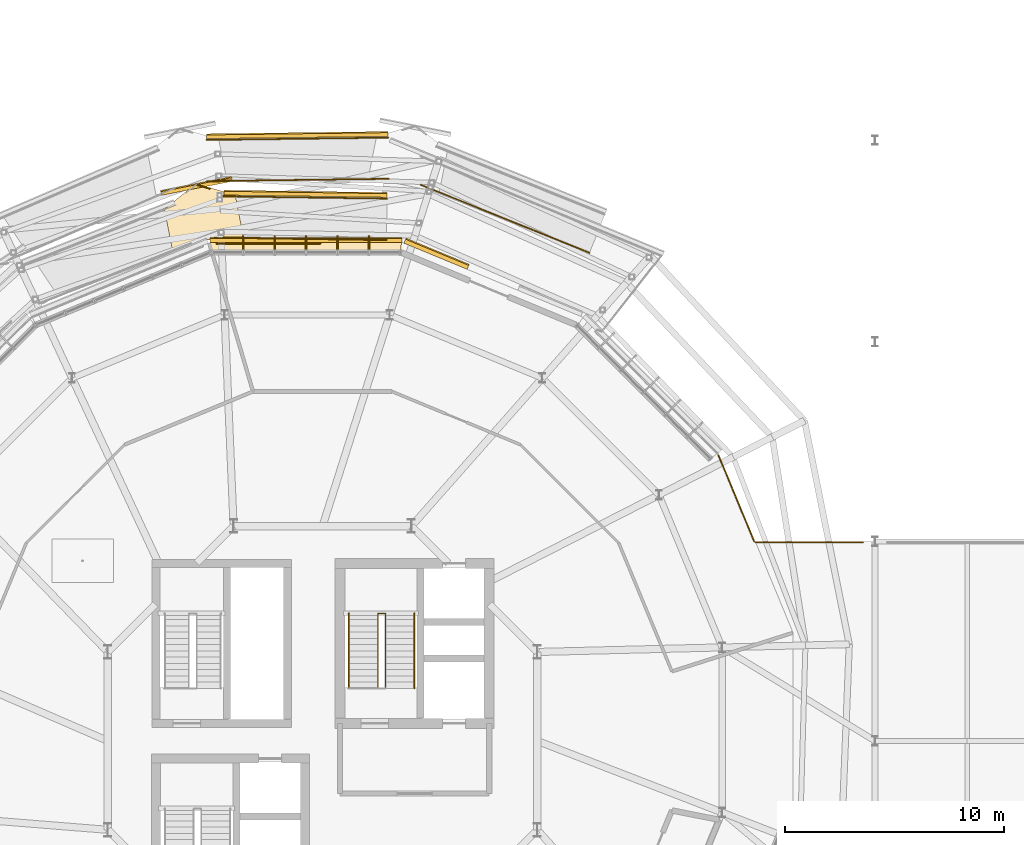
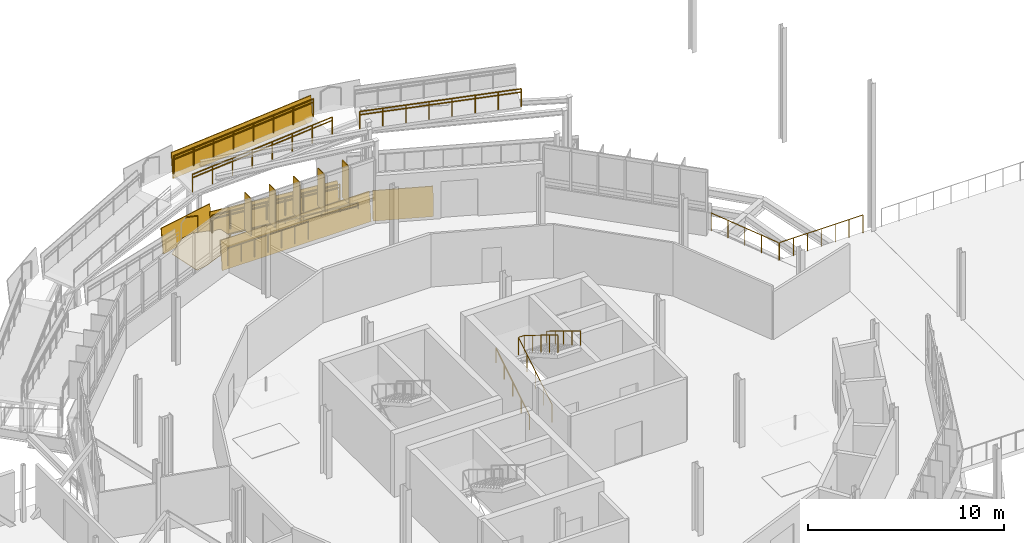
# One storey, part 104 of 107: 22 railings, 7 coverings, 5 shading devices.
"""IFC4 building model written with IfcOpenShell, lengths in metres."""

from ifc_helpers import new_model, si_unit, derived_unit, direction, frame, origin, origin_2d, place, context, subcontext, project, spatial, polyline, rectangle, circle, outline, extrude, material, layer, layer_set, type_object, element, save


model = new_model("IFC4")

# Units and contexts
model_context = context("Model", 3, precision=1e-05, world=origin(), true_north=direction((0.0, 1.0)))
body_context = subcontext(model_context, "Body", "Model", "MODEL_VIEW")
ifc_project = project(units=[si_unit("LENGTHUNIT", "METRE"), si_unit("AREAUNIT", "SQUARE_METRE"), si_unit("VOLUMEUNIT", "CUBIC_METRE"), si_unit("PLANEANGLEUNIT", "RADIAN"), si_unit("MASSUNIT", "GRAM", prefix="KILO"), derived_unit("THERMALTRANSMITTANCEUNIT", [(si_unit("MASSUNIT", "GRAM", prefix="KILO"), 1), (si_unit("TIMEUNIT", "SECOND"), -3), (si_unit("THERMODYNAMICTEMPERATUREUNIT", "KELVIN"), -1)])], contexts=[model_context])

# Site, building, storey
site_placement = place(None, origin())
site = spatial("IfcSite", under=ifc_project, at=site_placement, CompositionType="ELEMENT")
building_placement = place(site_placement, origin())
building = spatial("IfcBuilding", under=site, at=building_placement, Name="Makaiwela Harbour Ferry Terminal", CompositionType="ELEMENT")
storey_placement = place(building_placement, frame((0.0, 0.0, 9.60009765625)))
storey = spatial("IfcBuildingStorey", under=building, at=storey_placement, Name="L02", CompositionType="ELEMENT", Elevation=9.60009765625)

# Coverings
ifc_material_1 = material(Name="White glazed marine ceramic rainscreen tile", Category="masonry")
ifc_layer_1 = layer(ifc_material_1, 0.054931640625)
ifc_layer_set_1 = layer_set([ifc_layer_1], Name="White glazed marine ceramic rainscreen tile")
covering_type_1 = type_object("IfcCoveringType", Name="ENV-CLD-CERAMIC", PredefinedType="CLADDING", material=ifc_layer_set_1)
covering_1_placement = place(storey_placement, frame((44.3955078125, 89.1103515625, -0.239990234375), z_axis=(-0.380392765721, -0.918358478274, 0.109174397957), x_axis=(-0.923881038743, 0.38267979596, -3.92437e-06)))
element("IfcCovering", 1, at=covering_1_placement, inside=storey, type_object=covering_type_1, Name="Ceramic Spandrel Facet CLD-0048", PredefinedType="CLADDING", context=body_context, shape_type="SweptSolid", body=[
    extrude(outline(polyline([(0.0, 0.0), (3.1186969877675494, 2.7755575615628914e-17), (3.1187354069868074, -1.770605603477598), (-5.5008465302002345e-05, -1.7705809780750126), (0.0, 0.0)])), origin(), (0.0, 0.0, -1.0), 0.054931640625),
])
covering_2_placement = place(storey_placement, frame((41.4287109375, 90.32275390625, -0.239990234375), z_axis=(0.0, -0.994019183037, 0.10920560313), x_axis=(-1.0, 0.0, 0.0)))
element("IfcCovering", 2, at=covering_2_placement, inside=storey, type_object=covering_type_1, Name="Ceramic Spandrel Facet CLD-0049", PredefinedType="CLADDING", context=body_context, shape_type="SweptSolid", body=[
    extrude(outline(polyline([(0.0, 0.0), (8.757568359375, 0.0), (8.757568359375, -1.7705993965309483), (0.0, -1.7705993965309483), (0.0, 0.0)])), origin(), (0.0, 0.0, -1.0), 0.054931640625),
])
covering_3_placement = place(storey_placement, frame((0.0, 0.0, 1.47998046875)))
element("IfcCovering", 3, at=covering_3_placement, inside=storey, type_object=covering_type_1, Name="Ceramic Ring Sill Cap CLD-0050", PredefinedType="CLADDING", context=body_context, shape_type="SweptSolid", body=[
    extrude(outline(polyline([(41.4287109375, 90.51611328125), (32.671142578125, 90.51611328125), (32.7490234375, 89.88330078125), (41.35107421875, 89.88330078125), (41.4287109375, 90.51611328125)])), origin(), (0.0, 0.0, 1.0), 0.054931640625),
])
covering_4_placement = place(storey_placement, frame((40.74365234375, 92.394287109375, -0.340087890625), z_axis=(-0.00510577044, -0.993926306536, 0.109929196688), x_axis=(-0.996671628908, 0.014002171724, 0.080309422343)))
element("IfcCovering", 4, at=covering_4_placement, inside=storey, type_object=covering_type_1, Name="Coiled Ramp Ceramic Fascia CLD-R0037", PredefinedType="CLADDING", context=body_context, shape_type="SweptSolid", body=[
    extrude(outline(polyline([(0.0, 0.0), (7.472134975054646, -1.1102230246251565e-16), (7.5943526522373155, -1.5241654974854504), (0.12223386547627683, -1.5243807163264587), (0.0, 0.0)])), origin(), (0.0, 0.0, -1.0), 0.054931640625),
])
covering_5_placement = place(storey_placement, frame((33.693603515625, 93.12890625, 0.260009765625), z_axis=(0.193910341386, -0.974846187239, 0.10988034733), x_axis=(-0.98078501504, -0.195091656081, 0.0)))
element("IfcCovering", 5, at=covering_5_placement, inside=storey, type_object=covering_type_1, Name="Coiled Ramp Ceramic Fascia CLD-R0038", PredefinedType="CLADDING", context=body_context, shape_type="SweptSolid", body=[
    extrude(outline(polyline([(0.0, 0.0), (3.299981357781899, 0.0), (3.2999174720790077, -1.5290339633720902), (-6.388570289143913e-05, -1.5290339633720902), (0.0, 0.0)])), origin(), (0.0, 0.0, -1.0), 0.054931640625),
])
covering_6_placement = place(storey_placement, frame((32.514892578125, 95.069580078125, 2.659912109375), z_axis=(0.004858769322, -0.993927568736, 0.109928979198), x_axis=(0.997298284655, 0.012874040968, 0.072321438684)))
element("IfcCovering", 6, at=covering_6_placement, inside=storey, type_object=covering_type_1, Name="Coiled Ramp Ceramic Fascia CLD-R0047", PredefinedType="CLADDING", context=body_context, shape_type="SweptSolid", body=[
    extrude(outline(polyline([(0.0, 0.0), (8.297809468480363, -1.1102230246251565e-16), (8.407692918536666, 1.5250774349721787), (0.10990424973395369, 1.525346132579739), (0.0, 0.0)])), origin(), (0.0, 0.0, -1.0), 0.054931640625),
])

# Shading devices
ifc_material_2 = material(Name="Marine anodised aluminium 6063-T6", Category="aluminium")
ifc_layer_2 = layer(ifc_material_2, 0.054931640625)
ifc_layer_set_2 = layer_set([ifc_layer_2], Name="Marine anodised aluminium 6063-T6")
shading_device_type = type_object("IfcShadingDeviceType", Name="ENV-FIN-650", PredefinedType="USERDEFINED", material=ifc_layer_set_2)
for number, where, z_axis, x_axis, name in (
    (7, (39.917236328125, 90.3212890625, 1.609375), (0.0, 0.0, 1.0), (0.0, 1.0, 0.0), "Vertical Solar Fin SFN-0046"),
    (8, (38.483642578125, 90.3212890625, 1.609375), (0.0, 0.0, 1.0), (0.0, 1.0, 0.0), "Vertical Solar Fin SFN-0047"),
    (9, (37.050048828125, 90.3212890625, 1.609375), (0.0, 0.0, 1.0), (0.0, 1.0, 0.0), "Vertical Solar Fin SFN-0048"),
    (10, (35.6162109375, 90.3212890625, 1.609375), (0.0, 0.0, 1.0), (0.0, 1.0, 0.0), "Vertical Solar Fin SFN-0049"),
    (11, (34.1826171875, 90.3212890625, 1.609375), (0.0, 0.0, 1.0), (0.0, 1.0, 0.0), "Vertical Solar Fin SFN-0050"),
):
    element("IfcShadingDevice", number, at=place(storey_placement, frame(where, z_axis=z_axis, x_axis=x_axis)), inside=storey, type_object=shading_device_type, Name=name, ObjectType="SOLAR FIN", PredefinedType="USERDEFINED", context=body_context, shape_type="SweptSolid", body=[
        extrude(rectangle(XDim=0.64990234375, YDim=0.054931640625, at=origin_2d()), origin(), (0.0, 0.0, 1.0), 2.320068359375),
    ])

# Covering
ifc_material_3 = material(Name="Honed coral-aggregate epoxy terrazzo flooring", Category="concrete")
ifc_layer_3 = layer(ifc_material_3, 0.02490234375)
ifc_layer_set_3 = layer_set([ifc_layer_3], Name="Honed coral-aggregate epoxy terrazzo flooring")
covering_type_2 = type_object("IfcCoveringType", Name="INT-COV-FLR", PredefinedType="FLOORING", material=ifc_layer_set_3)
covering_7_placement = place(storey_placement, frame((0.0, 0.0, 0.599853515625)))
element("IfcCovering", 12, at=covering_7_placement, inside=storey, type_object=covering_type_2, Name="Ramp Landing Terrazzo RMP-COIL-L02-LI1", PredefinedType="FLOORING", context=body_context, shape_type="SweptSolid", body=[
    extrude(outline(polyline([(31.633056640625, 90.081298828125), (32.542236328125, 90.457763671875), (32.54248046875, 90.4580078125), (32.542724609375, 90.4580078125), (32.54296875, 90.4580078125), (32.543212890625, 90.4580078125), (33.52734375, 90.4580078125), (34.198486328125, 90.591552734375), (33.81982421875, 92.494384765625), (32.031982421875, 93.025634765625), (30.583251953125, 91.8505859375), (30.9619140625, 89.94775390625), (31.633056640625, 90.081298828125)])), origin(), (0.0, 0.0, 1.0), 0.025146484375),
])

# Railings
ifc_material_4 = material(Name="Marine grade 316L brushed stainless steel", Category="steel")
railing_type_1 = type_object("IfcRailingType", Name="INT-RL-GRD110", PredefinedType="GUARDRAIL", material=ifc_material_4)
railing_1_placement = place(storey_placement, frame((40.325927734375, 70.0, 0.0)))
element("IfcRailing", 13, at=railing_1_placement, inside=storey, type_object=railing_type_1, Name="Stair well guardrail RL-0009", PredefinedType="GUARDRAIL", context=body_context, shape_type="SweptSolid", body=[
    extrude(circle(Radius=0.02392578125, at=origin_2d()), frame((0.0, 0.0, 1.09619140625), z_axis=(0.0, 0.852182171552, 0.523245206847), x_axis=(-1.0, 0.0, 0.0)), (0.0, 0.0, 1.0), 4.01318359375),
    extrude(circle(Radius=0.02392578125, at=origin_2d()), frame((0.0, 3.419921875, 3.19580078125), z_axis=(1.0, 0.0, 0.0), x_axis=(0.0, 1.0, 0.0)), (0.0, 0.0, 1.0), 0.340087890625),
    extrude(circle(Radius=0.02392578125, at=origin_2d()), frame((0.340087890625, 3.419921875, 3.19580078125), z_axis=(0.0, -0.852155044755, 0.523289384279), x_axis=(1.0, 0.0, 0.0)), (0.0, 0.0, 1.0), 4.01318359375),
    extrude(circle(Radius=0.02099609375, at=origin_2d()), origin(), (0.0, 0.0, 1.0), 1.072021484375),
    extrude(circle(Radius=0.02099609375, at=origin_2d()), frame((0.0, 0.85498046875, 0.52490234375)), (0.0, 0.0, 1.0), 1.072021484375),
    extrude(circle(Radius=0.02099609375, at=origin_2d()), frame((0.0, 1.7099609375, 1.0498046875)), (0.0, 0.0, 1.0), 1.072021484375),
    extrude(circle(Radius=0.02099609375, at=origin_2d()), frame((0.0, 2.56494140625, 1.574951171875)), (0.0, 0.0, 1.0), 1.072021484375),
    extrude(circle(Radius=0.02099609375, at=origin_2d()), frame((0.0, 3.419921875, 2.099853515625)), (0.0, 0.0, 1.0), 1.072021484375),
    extrude(circle(Radius=0.02099609375, at=origin_2d()), frame((0.340087890625, 3.419921875, 2.099853515625)), (0.0, 0.0, 1.0), 1.072021484375),
    extrude(circle(Radius=0.02099609375, at=origin_2d()), frame((0.340087890625, 2.56494140625, 2.625)), (0.0, 0.0, 1.0), 1.072021484375),
    extrude(circle(Radius=0.02099609375, at=origin_2d()), frame((0.340087890625, 1.7099609375, 3.14990234375)), (0.0, 0.0, 1.0), 1.072021484375),
    extrude(circle(Radius=0.02099609375, at=origin_2d()), frame((0.340087890625, 0.85498046875, 3.6748046875)), (0.0, 0.0, 1.0), 1.072021484375),
    extrude(circle(Radius=0.02099609375, at=origin_2d()), frame((0.340087890625, 0.0, 4.199951171875)), (0.0, 0.0, 1.0), 1.072021484375),
])
railing_2_placement = place(storey_placement, frame((40.71630859375, 90.45751953125, 0.0)))
element("IfcRailing", 14, at=railing_2_placement, inside=storey, type_object=railing_type_1, Name="Ramp guardrail RL-0165", PredefinedType="GUARDRAIL", context=body_context, shape_type="SweptSolid", body=[
    extrude(circle(Radius=0.02392578125, at=origin_2d()), frame((0.0, 0.0, 1.09619140625), z_axis=(-0.996674335618, 0.013984284541, 0.080278941864), x_axis=(-0.014029565846, -0.999901580798, 0.0)), (0.0, 0.0, 1.0), 7.47216796875),
    extrude(circle(Radius=0.02099609375, at=origin_2d()), origin(), (0.0, 0.0, 1.0), 1.072021484375),
    extrude(circle(Radius=0.02099609375, at=origin_2d()), frame((-1.06396484375, 0.014892578125, 0.085693359375)), (0.0, 0.0, 1.0), 1.072021484375),
    extrude(circle(Radius=0.02099609375, at=origin_2d()), frame((-2.127685546875, 0.02978515625, 0.17138671875)), (0.0, 0.0, 1.0), 1.072021484375),
    extrude(circle(Radius=0.02099609375, at=origin_2d()), frame((-3.191650390625, 0.044677734375, 0.257080078125)), (0.0, 0.0, 1.0), 1.072021484375),
    extrude(circle(Radius=0.02099609375, at=origin_2d()), frame((-4.255615234375, 0.059814453125, 0.3427734375)), (0.0, 0.0, 1.0), 1.072021484375),
    extrude(circle(Radius=0.02099609375, at=origin_2d()), frame((-5.319580078125, 0.07470703125, 0.428466796875)), (0.0, 0.0, 1.0), 1.072021484375),
    extrude(circle(Radius=0.02099609375, at=origin_2d()), frame((-6.38330078125, 0.089599609375, 0.51416015625)), (0.0, 0.0, 1.0), 1.072021484375),
    extrude(circle(Radius=0.02099609375, at=origin_2d()), frame((-7.447265625, 0.1044921875, 0.599853515625)), (0.0, 0.0, 1.0), 1.072021484375),
])
railing_3_placement = place(storey_placement, frame((40.742919921875, 92.337158203125, 0.0)))
element("IfcRailing", 15, at=railing_3_placement, inside=storey, type_object=railing_type_1, Name="Ramp guardrail RL-0167", PredefinedType="GUARDRAIL", context=body_context, shape_type="SweptSolid", body=[
    extrude(circle(Radius=0.02392578125, at=origin_2d()), frame((0.0, 0.0, 1.09619140625), z_axis=(-0.996674096669, 0.014016495246, 0.080276290953), x_axis=(-0.014061877838, -0.999901126908, 0.0)), (0.0, 0.0, 1.0), 7.472412109375),
    extrude(circle(Radius=0.02099609375, at=origin_2d()), origin(), (0.0, 0.0, 1.0), 1.072021484375),
    extrude(circle(Radius=0.02099609375, at=origin_2d()), frame((-1.06396484375, 0.014892578125, 0.085693359375)), (0.0, 0.0, 1.0), 1.072021484375),
    extrude(circle(Radius=0.02099609375, at=origin_2d()), frame((-2.1279296875, 0.030029296875, 0.17138671875)), (0.0, 0.0, 1.0), 1.072021484375),
    extrude(circle(Radius=0.02099609375, at=origin_2d()), frame((-3.19189453125, 0.044921875, 0.257080078125)), (0.0, 0.0, 1.0), 1.072021484375),
    extrude(circle(Radius=0.02099609375, at=origin_2d()), frame((-4.255615234375, 0.059814453125, 0.3427734375)), (0.0, 0.0, 1.0), 1.072021484375),
    extrude(circle(Radius=0.02099609375, at=origin_2d()), frame((-5.319580078125, 0.07470703125, 0.428466796875)), (0.0, 0.0, 1.0), 1.072021484375),
    extrude(circle(Radius=0.02099609375, at=origin_2d()), frame((-6.383544921875, 0.08984375, 0.51416015625)), (0.0, 0.0, 1.0), 1.072021484375),
    extrude(circle(Radius=0.02099609375, at=origin_2d()), frame((-7.447509765625, 0.104736328125, 0.599853515625)), (0.0, 0.0, 1.0), 1.072021484375),
])
for number, where, name in (
    (16, (32.539794921875, 93.1328125, 3.0), "Ramp guardrail RL-0185"),
    (17, (32.515625, 95.0126953125, 3.0), "Ramp guardrail RL-0187"),
):
    element("IfcRailing", number, at=place(storey_placement, frame(where)), inside=storey, type_object=railing_type_1, Name=name, PredefinedType="GUARDRAIL", context=body_context, shape_type="SweptSolid", body=[
        extrude(circle(Radius=0.02392578125, at=origin_2d()), frame((0.0, 0.0, 1.09619140625), z_axis=(0.997300720742, 0.012857576557, 0.072290767963), x_axis=(-0.012891305372, 0.99991690367, 0.0)), (0.0, 0.0, 1.0), 8.2978515625),
        extrude(circle(Radius=0.02099609375, at=origin_2d()), origin(), (0.0, 0.0, 1.0), 1.072021484375),
        extrude(circle(Radius=0.02099609375, at=origin_2d()), frame((1.18212890625, 0.01513671875, 0.085693359375)), (0.0, 0.0, 1.0), 1.072021484375),
        extrude(circle(Radius=0.02099609375, at=origin_2d()), frame((2.364501953125, 0.030517578125, 0.17138671875)), (0.0, 0.0, 1.0), 1.072021484375),
        extrude(circle(Radius=0.02099609375, at=origin_2d()), frame((3.546630859375, 0.045654296875, 0.257080078125)), (0.0, 0.0, 1.0), 1.072021484375),
        extrude(circle(Radius=0.02099609375, at=origin_2d()), frame((4.728759765625, 0.06103515625, 0.3427734375)), (0.0, 0.0, 1.0), 1.072021484375),
        extrude(circle(Radius=0.02099609375, at=origin_2d()), frame((5.910888671875, 0.076171875, 0.428466796875)), (0.0, 0.0, 1.0), 1.072021484375),
        extrude(circle(Radius=0.02099609375, at=origin_2d()), frame((7.09326171875, 0.091552734375, 0.51416015625)), (0.0, 0.0, 1.0), 1.072021484375),
        extrude(circle(Radius=0.02099609375, at=origin_2d()), frame((8.275390625, 0.106689453125, 0.599853515625)), (0.0, 0.0, 1.0), 1.072021484375),
    ])
railing_4_placement = place(storey_placement, frame((42.283203125, 92.96484375, 3.599853515625)))
element("IfcRailing", 18, at=railing_4_placement, inside=storey, type_object=railing_type_1, Name="Ramp guardrail RL-0189", PredefinedType="GUARDRAIL", context=body_context, shape_type="SweptSolid", body=[
    extrude(circle(Radius=0.02392578125, at=origin_2d()), frame((0.0, 0.0, 1.09619140625), z_axis=(0.925182361308, -0.372602946412, 0.072143209317), x_axis=(0.37357638044, 0.927599422152, 0.0)), (0.0, 0.0, 1.0), 8.318115234375),
    extrude(circle(Radius=0.02099609375, at=origin_2d()), origin(), (0.0, 0.0, 1.0), 1.072021484375),
    extrude(circle(Radius=0.02099609375, at=origin_2d()), frame((1.099365234375, -0.44287109375, 0.085693359375)), (0.0, 0.0, 1.0), 1.072021484375),
    extrude(circle(Radius=0.02099609375, at=origin_2d()), frame((2.19873046875, -0.885498046875, 0.17138671875)), (0.0, 0.0, 1.0), 1.072021484375),
    extrude(circle(Radius=0.02099609375, at=origin_2d()), frame((3.298095703125, -1.328369140625, 0.257080078125)), (0.0, 0.0, 1.0), 1.072021484375),
    extrude(circle(Radius=0.02099609375, at=origin_2d()), frame((4.397705078125, -1.77099609375, 0.343017578125)), (0.0, 0.0, 1.0), 1.072021484375),
    extrude(circle(Radius=0.02099609375, at=origin_2d()), frame((5.4970703125, -2.2138671875, 0.4287109375)), (0.0, 0.0, 1.0), 1.072021484375),
    extrude(circle(Radius=0.02099609375, at=origin_2d()), frame((6.596435546875, -2.656494140625, 0.514404296875)), (0.0, 0.0, 1.0), 1.072021484375),
    extrude(circle(Radius=0.02099609375, at=origin_2d()), frame((7.69580078125, -3.099365234375, 0.60009765625)), (0.0, 0.0, 1.0), 1.072021484375),
])
railing_5_placement = place(storey_placement, frame((32.968994140625, 90.27978515625, 0.0)))
element("IfcRailing", 19, at=railing_5_placement, inside=storey, type_object=railing_type_1, Name="Deck edge guardrail RL-0465", PredefinedType="GUARDRAIL", context=body_context, shape_type="SweptSolid", body=[
    extrude(circle(Radius=0.02392578125, at=origin_2d()), frame((0.0, 0.0, 1.09619140625), z_axis=(1.0, 0.0, 0.0), x_axis=(0.0, 1.0, 0.0)), (0.0, 0.0, 1.0), 1.575927734375),
    extrude(circle(Radius=0.02099609375, at=origin_2d()), origin(), (0.0, 0.0, 1.0), 1.072021484375),
    extrude(circle(Radius=0.02099609375, at=origin_2d()), frame((0.7880859375, 0.0, 0.0)), (0.0, 0.0, 1.0), 1.072021484375),
    extrude(circle(Radius=0.02099609375, at=origin_2d()), frame((1.575927734375, 0.0, 0.0)), (0.0, 0.0, 1.0), 1.072021484375),
])
railing_6_placement = place(storey_placement, frame((34.544921875, 90.27978515625, 0.0)))
element("IfcRailing", 20, at=railing_6_placement, inside=storey, type_object=railing_type_1, Name="Deck edge guardrail RL-0466", PredefinedType="GUARDRAIL", context=body_context, shape_type="SweptSolid", body=[
    extrude(circle(Radius=0.02392578125, at=origin_2d()), frame((0.0, 0.0, 1.09619140625), z_axis=(1.0, 0.0, 0.0), x_axis=(0.0, 1.0, 0.0)), (0.0, 0.0, 1.0), 1.575439453125),
    extrude(circle(Radius=0.02099609375, at=origin_2d()), origin(), (0.0, 0.0, 1.0), 1.072021484375),
    extrude(circle(Radius=0.02099609375, at=origin_2d()), frame((0.78759765625, 0.0, 0.0)), (0.0, 0.0, 1.0), 1.072021484375),
    extrude(circle(Radius=0.02099609375, at=origin_2d()), frame((1.575439453125, 0.0, 0.0)), (0.0, 0.0, 1.0), 1.072021484375),
])
railing_7_placement = place(storey_placement, frame((36.120361328125, 90.27978515625, 0.0)))
element("IfcRailing", 21, at=railing_7_placement, inside=storey, type_object=railing_type_1, Name="Deck edge guardrail RL-0467", PredefinedType="GUARDRAIL", context=body_context, shape_type="SweptSolid", body=[
    extrude(circle(Radius=0.02392578125, at=origin_2d()), frame((0.0, 0.0, 1.09619140625), z_axis=(1.0, 0.0, 0.0), x_axis=(0.0, 1.0, 0.0)), (0.0, 0.0, 1.0), 1.57568359375),
    extrude(circle(Radius=0.02099609375, at=origin_2d()), origin(), (0.0, 0.0, 1.0), 1.072021484375),
    extrude(circle(Radius=0.02099609375, at=origin_2d()), frame((0.787841796875, 0.0, 0.0)), (0.0, 0.0, 1.0), 1.072021484375),
    extrude(circle(Radius=0.02099609375, at=origin_2d()), frame((1.57568359375, 0.0, 0.0)), (0.0, 0.0, 1.0), 1.072021484375),
])
railing_8_placement = place(storey_placement, frame((55.8447265625, 80.668212890625, 0.0)))
element("IfcRailing", 22, at=railing_8_placement, inside=storey, type_object=railing_type_1, Name="Deck edge guardrail RL-0481", PredefinedType="GUARDRAIL", context=body_context, shape_type="SweptSolid", body=[
    extrude(circle(Radius=0.02392578125, at=origin_2d()), frame((0.0, 0.0, 1.09619140625), z_axis=(0.382639262304, -0.923897827113, 0.0), x_axis=(0.923897827113, 0.382639262304, 0.0)), (0.0, 0.0, 1.0), 2.150146484375),
    extrude(circle(Radius=0.02099609375, at=origin_2d()), origin(), (0.0, 0.0, 1.0), 1.072021484375),
    extrude(circle(Radius=0.02099609375, at=origin_2d()), frame((0.411376953125, -0.9931640625, 0.0)), (0.0, 0.0, 1.0), 1.072021484375),
    extrude(circle(Radius=0.02099609375, at=origin_2d()), frame((0.82275390625, -1.986572265625, 0.0)), (0.0, 0.0, 1.0), 1.072021484375),
])
railing_9_placement = place(storey_placement, frame((56.66748046875, 78.681640625, 0.0)))
element("IfcRailing", 23, at=railing_9_placement, inside=storey, type_object=railing_type_1, Name="Deck edge guardrail RL-0482", PredefinedType="GUARDRAIL", context=body_context, shape_type="SweptSolid", body=[
    extrude(circle(Radius=0.02392578125, at=origin_2d()), frame((0.0, 0.0, 1.09619140625), z_axis=(0.382736174675, -0.923857684167, 0.0), x_axis=(0.923857684167, 0.382736174675, 0.0)), (0.0, 0.0, 1.0), 2.150390625),
    extrude(circle(Radius=0.02099609375, at=origin_2d()), origin(), (0.0, 0.0, 1.0), 1.072021484375),
    extrude(circle(Radius=0.02099609375, at=origin_2d()), frame((0.41162109375, -0.9931640625, 0.0)), (0.0, 0.0, 1.0), 1.072021484375),
    extrude(circle(Radius=0.02099609375, at=origin_2d()), frame((0.822998046875, -1.986572265625, 0.0)), (0.0, 0.0, 1.0), 1.072021484375),
])
for number, where, name in (
    (24, (57.55029296875, 76.655029296875, 0.0), "Deck edge guardrail RL-0483"),
    (25, (59.184326171875, 76.655029296875, 0.0), "Deck edge guardrail RL-0484"),
):
    element("IfcRailing", number, at=place(storey_placement, frame(where)), inside=storey, type_object=railing_type_1, Name=name, PredefinedType="GUARDRAIL", context=body_context, shape_type="SweptSolid", body=[
        extrude(circle(Radius=0.02392578125, at=origin_2d()), frame((0.0, 0.0, 1.09619140625), z_axis=(1.0, 0.0, 0.0), x_axis=(0.0, 1.0, 0.0)), (0.0, 0.0, 1.0), 1.634033203125),
        extrude(circle(Radius=0.02099609375, at=origin_2d()), origin(), (0.0, 0.0, 1.0), 1.072021484375),
        extrude(circle(Radius=0.02099609375, at=origin_2d()), frame((0.81689453125, 0.0, 0.0)), (0.0, 0.0, 1.0), 1.072021484375),
        extrude(circle(Radius=0.02099609375, at=origin_2d()), frame((1.634033203125, 0.0, 0.0)), (0.0, 0.0, 1.0), 1.072021484375),
    ])
railing_10_placement = place(storey_placement, frame((60.818359375, 76.655029296875, 0.0)))
element("IfcRailing", 26, at=railing_10_placement, inside=storey, type_object=railing_type_1, Name="Deck edge guardrail RL-0485", PredefinedType="GUARDRAIL", context=body_context, shape_type="SweptSolid", body=[
    extrude(circle(Radius=0.02392578125, at=origin_2d()), frame((0.0, 0.0, 1.09619140625), z_axis=(1.0, 0.0, 0.0), x_axis=(0.0, 1.0, 0.0)), (0.0, 0.0, 1.0), 1.6337890625),
    extrude(circle(Radius=0.02099609375, at=origin_2d()), origin(), (0.0, 0.0, 1.0), 1.072021484375),
    extrude(circle(Radius=0.02099609375, at=origin_2d()), frame((0.81689453125, 0.0, 0.0)), (0.0, 0.0, 1.0), 1.072021484375),
    extrude(circle(Radius=0.02099609375, at=origin_2d()), frame((1.6337890625, 0.0, 0.0)), (0.0, 0.0, 1.0), 1.072021484375),
])
railing_11_placement = place(storey_placement, frame((32.041748046875, 92.975830078125, 0.599853515625)))
element("IfcRailing", 27, at=railing_11_placement, inside=storey, type_object=railing_type_1, Name="Deck edge guardrail RL-0618", PredefinedType="GUARDRAIL", context=body_context, shape_type="SweptSolid", body=[
    extrude(circle(Radius=0.02392578125, at=origin_2d()), frame((0.0, 0.0, 1.09619140625), z_axis=(0.958604322058, -0.284741556032, 0.0), x_axis=(0.284741556032, 0.958604322058, 0.0)), (0.0, 0.0, 1.0), 0.63623046875),
    extrude(circle(Radius=0.02099609375, at=origin_2d()), origin(), (0.0, 0.0, 1.0), 1.072021484375),
    extrude(circle(Radius=0.02099609375, at=origin_2d()), frame((0.60986328125, -0.18115234375, 0.0)), (0.0, 0.0, 1.0), 1.072021484375),
])
railing_type_2 = type_object("IfcRailingType", Name="INT-RL-HND090", PredefinedType="HANDRAIL", material=ifc_material_4)
railing_12_placement = place(storey_placement, frame((39.0, 70.0, 0.0)))
element("IfcRailing", 28, at=railing_12_placement, inside=storey, type_object=railing_type_2, Name="Stair wall handrail RL-0011", PredefinedType="HANDRAIL", context=body_context, shape_type="SweptSolid", body=[
    extrude(circle(Radius=0.02392578125, at=origin_2d()), frame((0.0, 0.0, 0.89111328125), z_axis=(0.0, 0.852182171552, 0.523245206847), x_axis=(-1.0, 0.0, 0.0)), (0.0, 0.0, 1.0), 4.01318359375),
    extrude(circle(Radius=0.02099609375, at=origin_2d()), origin(), (0.0, 0.0, 1.0), 0.866943359375),
    extrude(circle(Radius=0.02099609375, at=origin_2d()), frame((0.0, 0.85498046875, 0.52490234375)), (0.0, 0.0, 1.0), 0.866943359375),
    extrude(circle(Radius=0.02099609375, at=origin_2d()), frame((0.0, 1.7099609375, 1.0498046875)), (0.0, 0.0, 1.0), 0.866943359375),
    extrude(circle(Radius=0.02099609375, at=origin_2d()), frame((0.0, 2.56494140625, 1.574951171875)), (0.0, 0.0, 1.0), 0.866943359375),
    extrude(circle(Radius=0.02099609375, at=origin_2d()), frame((0.0, 3.419921875, 2.099853515625)), (0.0, 0.0, 1.0), 0.866943359375),
])
railing_13_placement = place(storey_placement, frame((41.991943359375, 73.419921875, 2.099853515625)))
element("IfcRailing", 29, at=railing_13_placement, inside=storey, type_object=railing_type_2, Name="Stair upper handrail RL-0012", PredefinedType="HANDRAIL", context=body_context, shape_type="SweptSolid", body=[
    extrude(circle(Radius=0.02392578125, at=origin_2d()), frame((0.0, 0.0, 0.89111328125), z_axis=(0.0, -0.852155044755, 0.523289384279), x_axis=(1.0, 0.0, 0.0)), (0.0, 0.0, 1.0), 4.01318359375),
    extrude(circle(Radius=0.02099609375, at=origin_2d()), origin(), (0.0, 0.0, 1.0), 0.866943359375),
    extrude(circle(Radius=0.02099609375, at=origin_2d()), frame((0.0, -0.85498046875, 0.52490234375)), (0.0, 0.0, 1.0), 0.866943359375),
    extrude(circle(Radius=0.02099609375, at=origin_2d()), frame((0.0, -1.7099609375, 1.050048828125)), (0.0, 0.0, 1.0), 0.866943359375),
    extrude(circle(Radius=0.02099609375, at=origin_2d()), frame((0.0, -2.56494140625, 1.5751953125)), (0.0, 0.0, 1.0), 0.866943359375),
    extrude(circle(Radius=0.02099609375, at=origin_2d()), frame((0.0, -3.419921875, 2.10009765625)), (0.0, 0.0, 1.0), 0.866943359375),
])
railing_14_placement = place(storey_placement, frame((40.71630859375, 90.45751953125, 0.0)))
element("IfcRailing", 30, at=railing_14_placement, inside=storey, type_object=railing_type_2, Name="Ramp handrail RL-0166", PredefinedType="HANDRAIL", context=body_context, shape_type="SweptSolid", body=[
    extrude(circle(Radius=0.02392578125, at=origin_2d()), frame((0.0, 0.0, 0.89111328125), z_axis=(-0.996674335618, 0.013984284541, 0.080278941864), x_axis=(-0.014029565846, -0.999901580798, 0.0)), (0.0, 0.0, 1.0), 7.47216796875),
    extrude(circle(Radius=0.02099609375, at=origin_2d()), origin(), (0.0, 0.0, 1.0), 0.866943359375),
    extrude(circle(Radius=0.02099609375, at=origin_2d()), frame((-1.06396484375, 0.014892578125, 0.085693359375)), (0.0, 0.0, 1.0), 0.866943359375),
    extrude(circle(Radius=0.02099609375, at=origin_2d()), frame((-2.127685546875, 0.02978515625, 0.17138671875)), (0.0, 0.0, 1.0), 0.866943359375),
    extrude(circle(Radius=0.02099609375, at=origin_2d()), frame((-3.191650390625, 0.044677734375, 0.257080078125)), (0.0, 0.0, 1.0), 0.866943359375),
    extrude(circle(Radius=0.02099609375, at=origin_2d()), frame((-4.255615234375, 0.059814453125, 0.3427734375)), (0.0, 0.0, 1.0), 0.866943359375),
    extrude(circle(Radius=0.02099609375, at=origin_2d()), frame((-5.319580078125, 0.07470703125, 0.428466796875)), (0.0, 0.0, 1.0), 0.866943359375),
    extrude(circle(Radius=0.02099609375, at=origin_2d()), frame((-6.38330078125, 0.089599609375, 0.51416015625)), (0.0, 0.0, 1.0), 0.866943359375),
    extrude(circle(Radius=0.02099609375, at=origin_2d()), frame((-7.447265625, 0.1044921875, 0.599853515625)), (0.0, 0.0, 1.0), 0.866943359375),
])
railing_15_placement = place(storey_placement, frame((40.742919921875, 92.337158203125, 0.0)))
element("IfcRailing", 31, at=railing_15_placement, inside=storey, type_object=railing_type_2, Name="Ramp handrail RL-0168", PredefinedType="HANDRAIL", context=body_context, shape_type="SweptSolid", body=[
    extrude(circle(Radius=0.02392578125, at=origin_2d()), frame((0.0, 0.0, 0.89111328125), z_axis=(-0.996674096669, 0.014016495246, 0.080276290953), x_axis=(-0.014061877838, -0.999901126908, 0.0)), (0.0, 0.0, 1.0), 7.472412109375),
    extrude(circle(Radius=0.02099609375, at=origin_2d()), origin(), (0.0, 0.0, 1.0), 0.866943359375),
    extrude(circle(Radius=0.02099609375, at=origin_2d()), frame((-1.06396484375, 0.014892578125, 0.085693359375)), (0.0, 0.0, 1.0), 0.866943359375),
    extrude(circle(Radius=0.02099609375, at=origin_2d()), frame((-2.1279296875, 0.030029296875, 0.17138671875)), (0.0, 0.0, 1.0), 0.866943359375),
    extrude(circle(Radius=0.02099609375, at=origin_2d()), frame((-3.19189453125, 0.044921875, 0.257080078125)), (0.0, 0.0, 1.0), 0.866943359375),
    extrude(circle(Radius=0.02099609375, at=origin_2d()), frame((-4.255615234375, 0.059814453125, 0.3427734375)), (0.0, 0.0, 1.0), 0.866943359375),
    extrude(circle(Radius=0.02099609375, at=origin_2d()), frame((-5.319580078125, 0.07470703125, 0.428466796875)), (0.0, 0.0, 1.0), 0.866943359375),
    extrude(circle(Radius=0.02099609375, at=origin_2d()), frame((-6.383544921875, 0.08984375, 0.51416015625)), (0.0, 0.0, 1.0), 0.866943359375),
    extrude(circle(Radius=0.02099609375, at=origin_2d()), frame((-7.447509765625, 0.104736328125, 0.599853515625)), (0.0, 0.0, 1.0), 0.866943359375),
])
for number, where, name in (
    (32, (32.539794921875, 93.1328125, 3.0), "Ramp handrail RL-0186"),
    (33, (32.515625, 95.0126953125, 3.0), "Ramp handrail RL-0188"),
):
    element("IfcRailing", number, at=place(storey_placement, frame(where)), inside=storey, type_object=railing_type_2, Name=name, PredefinedType="HANDRAIL", context=body_context, shape_type="SweptSolid", body=[
        extrude(circle(Radius=0.02392578125, at=origin_2d()), frame((0.0, 0.0, 0.89111328125), z_axis=(0.997300720742, 0.012857576557, 0.072290767963), x_axis=(-0.012891305372, 0.99991690367, 0.0)), (0.0, 0.0, 1.0), 8.2978515625),
        extrude(circle(Radius=0.02099609375, at=origin_2d()), origin(), (0.0, 0.0, 1.0), 0.866943359375),
        extrude(circle(Radius=0.02099609375, at=origin_2d()), frame((1.18212890625, 0.01513671875, 0.085693359375)), (0.0, 0.0, 1.0), 0.866943359375),
        extrude(circle(Radius=0.02099609375, at=origin_2d()), frame((2.364501953125, 0.030517578125, 0.17138671875)), (0.0, 0.0, 1.0), 0.866943359375),
        extrude(circle(Radius=0.02099609375, at=origin_2d()), frame((3.546630859375, 0.045654296875, 0.257080078125)), (0.0, 0.0, 1.0), 0.866943359375),
        extrude(circle(Radius=0.02099609375, at=origin_2d()), frame((4.728759765625, 0.06103515625, 0.3427734375)), (0.0, 0.0, 1.0), 0.866943359375),
        extrude(circle(Radius=0.02099609375, at=origin_2d()), frame((5.910888671875, 0.076171875, 0.428466796875)), (0.0, 0.0, 1.0), 0.866943359375),
        extrude(circle(Radius=0.02099609375, at=origin_2d()), frame((7.09326171875, 0.091552734375, 0.51416015625)), (0.0, 0.0, 1.0), 0.866943359375),
        extrude(circle(Radius=0.02099609375, at=origin_2d()), frame((8.275390625, 0.106689453125, 0.599853515625)), (0.0, 0.0, 1.0), 0.866943359375),
    ])
railing_16_placement = place(storey_placement, frame((42.283203125, 92.96484375, 3.599853515625)))
element("IfcRailing", 34, at=railing_16_placement, inside=storey, type_object=railing_type_2, Name="Ramp handrail RL-0190", PredefinedType="HANDRAIL", context=body_context, shape_type="SweptSolid", body=[
    extrude(circle(Radius=0.02392578125, at=origin_2d()), frame((0.0, 0.0, 0.89111328125), z_axis=(0.925182361308, -0.372602946412, 0.072143209317), x_axis=(0.37357638044, 0.927599422152, 0.0)), (0.0, 0.0, 1.0), 8.318115234375),
    extrude(circle(Radius=0.02099609375, at=origin_2d()), origin(), (0.0, 0.0, 1.0), 0.866943359375),
    extrude(circle(Radius=0.02099609375, at=origin_2d()), frame((1.099365234375, -0.44287109375, 0.085693359375)), (0.0, 0.0, 1.0), 0.866943359375),
    extrude(circle(Radius=0.02099609375, at=origin_2d()), frame((2.19873046875, -0.885498046875, 0.17138671875)), (0.0, 0.0, 1.0), 0.866943359375),
    extrude(circle(Radius=0.02099609375, at=origin_2d()), frame((3.298095703125, -1.328369140625, 0.257080078125)), (0.0, 0.0, 1.0), 0.866943359375),
    extrude(circle(Radius=0.02099609375, at=origin_2d()), frame((4.397705078125, -1.77099609375, 0.343017578125)), (0.0, 0.0, 1.0), 0.866943359375),
    extrude(circle(Radius=0.02099609375, at=origin_2d()), frame((5.4970703125, -2.2138671875, 0.4287109375)), (0.0, 0.0, 1.0), 0.866943359375),
    extrude(circle(Radius=0.02099609375, at=origin_2d()), frame((6.596435546875, -2.656494140625, 0.514404296875)), (0.0, 0.0, 1.0), 0.866943359375),
    extrude(circle(Radius=0.02099609375, at=origin_2d()), frame((7.69580078125, -3.099365234375, 0.60009765625)), (0.0, 0.0, 1.0), 0.866943359375),
])

save(model, "model.ifc")
